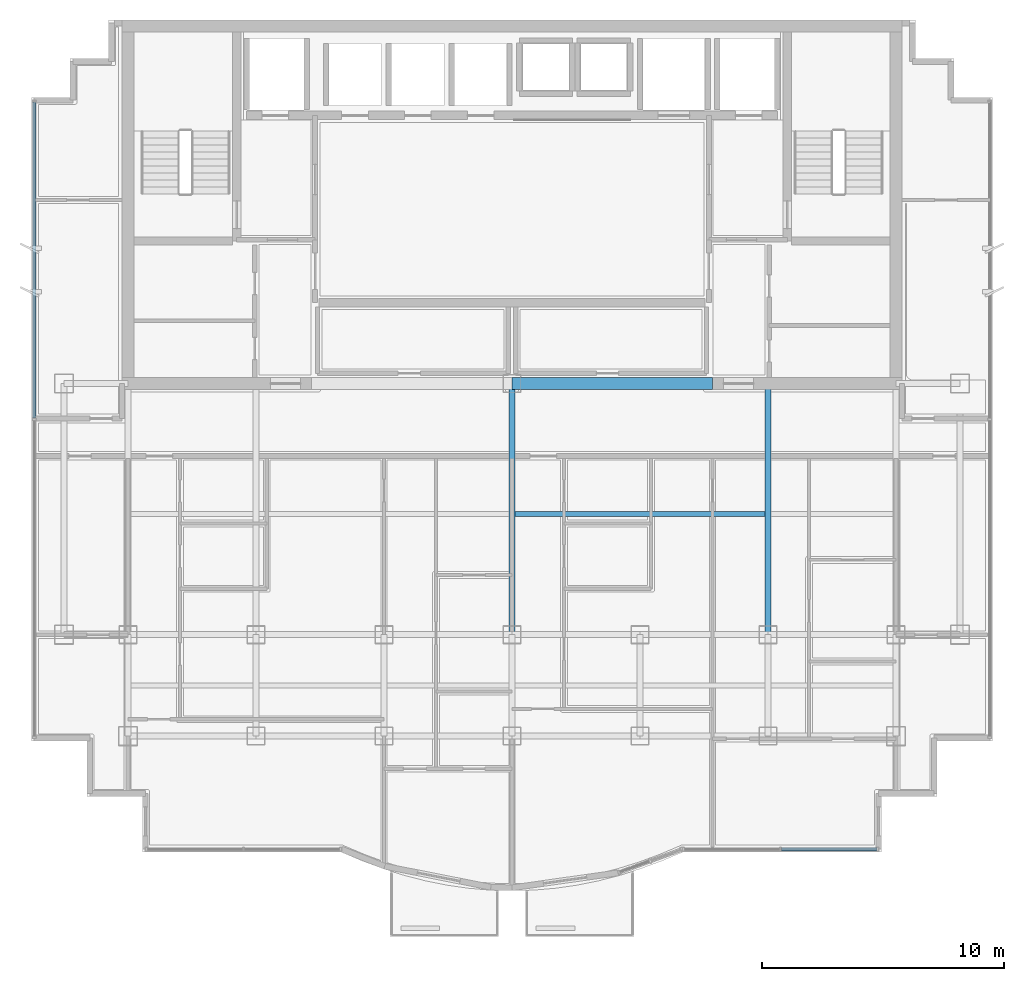
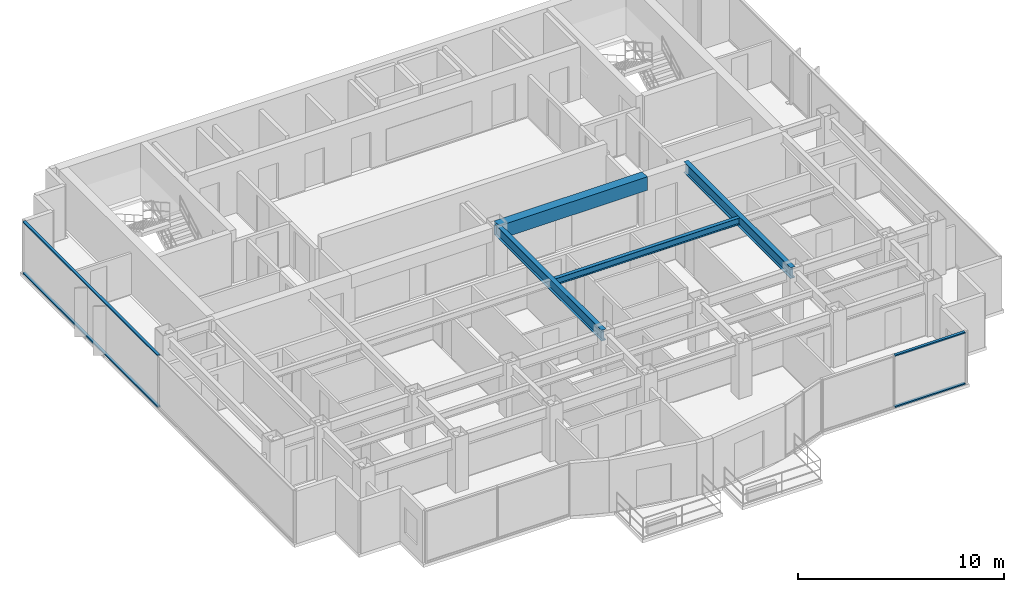
# One storey, part 3 of 12: 4 beams, 4 members, 2 elements without a shape of their own.
"""IFC4 building model written with IfcOpenShell, lengths in metres."""

from ifc_helpers import new_model, si_unit, direction, frame, origin, origin_2d, place, context, subcontext, project, spatial, rectangle, i_section, extrude, source, transform, mapped, material, layer, layer_set, material_profile, profile_set, type_object, element, aggregate, save


model = new_model("IFC4")

# Units and contexts
model_context = context("Model", 3, precision=1e-05, world=origin(), true_north=direction((0.0, 1.0)))
body_context = subcontext(model_context, "Body", "Model", "MODEL_VIEW")
ifc_project = project(units=[si_unit("LENGTHUNIT", "METRE"), si_unit("AREAUNIT", "SQUARE_METRE"), si_unit("VOLUMEUNIT", "CUBIC_METRE"), si_unit("PLANEANGLEUNIT", "RADIAN"), si_unit("MASSUNIT", "GRAM", prefix="KILO")], contexts=[model_context])

# Site, building, storey
site_placement = place(None, origin())
site = spatial("IfcSite", under=ifc_project, at=site_placement, CompositionType="ELEMENT")
building_placement = place(site_placement, origin())
building = spatial("IfcBuilding", under=site, at=building_placement, Name="Qianlan Lanfeng Residences", CompositionType="ELEMENT")
storey_placement = place(building_placement, frame((0.0, 0.0, 219.800048828125)))
storey = spatial("IfcBuildingStorey", under=building, at=storey_placement, Name="L60", CompositionType="ELEMENT", Elevation=219.800048828125)

# Beams
ifc_material_1 = material(Name="Steel SN490B", Category="steel")
ifc_material_profile_1 = material_profile(ifc_material_1, i_section(OverallWidth=0.25, OverallDepth=0.64990234375, WebThickness=0.012939453125, FlangeThickness=0.02197265625, at=origin_2d()), Name="H 650x250x13x22")
ifc_profile_set_1 = profile_set([ifc_material_profile_1], Name="Steel SN490B")
beam_type_1 = type_object("IfcBeamType", Name="G-650", PredefinedType="BEAM", material=ifc_profile_set_1)
for number, where, z_axis, x_axis, name in (
    (1, (26.5, 14.800048828125, 2.784912109375), (0.0, 1.0, 0.0), (-1.0, 0.0, 0.0), "Structural beam G-650"),
    (2, (37.10009765625, 14.800048828125, 2.784912109375), (0.0, 1.0, 0.0), (-1.0, 0.0, 0.0), "Structural beam G-650"),
):
    element("IfcBeam", number, at=place(storey_placement, frame(where, z_axis=z_axis, x_axis=x_axis)), inside=storey, type_object=beam_type_1, Name=name, PredefinedType="BEAM", context=body_context, shape_type="SweptSolid", body=[
        extrude(i_section(OverallWidth=0.25, OverallDepth=0.64990234375, WebThickness=0.012939453125, FlangeThickness=0.02197265625, at=origin_2d()), origin(), (0.0, 0.0, 1.0), 10.39990234375),
    ])
ifc_material_profile_2 = material_profile(ifc_material_1, i_section(OverallWidth=0.199951171875, OverallDepth=0.39990234375, WebThickness=0.008056640625, FlangeThickness=0.012939453125, at=origin_2d()), Name="H 400x200x8x13")
ifc_profile_set_2 = profile_set([ifc_material_profile_2], Name="Steel SN490B")
beam_type_2 = type_object("IfcBeamType", Name="J-400", PredefinedType="JOIST", material=ifc_profile_set_2)
beam_1_placement = place(storey_placement, frame((26.625, 19.800048828125, 2.909912109375), z_axis=(1.0, 0.0, 0.0), x_axis=(0.0, 1.0, 0.0)))
element("IfcBeam", 3, at=beam_1_placement, inside=storey, type_object=beam_type_2, Name="Structural beam J-400", PredefinedType="JOIST", context=body_context, shape_type="SweptSolid", body=[
    extrude(i_section(OverallWidth=0.199951171875, OverallDepth=0.39990234375, WebThickness=0.008056640625, FlangeThickness=0.012939453125, at=origin_2d()), origin(), (0.0, 0.0, 1.0), 10.35009765625),
])
ifc_material_2 = material(Name="Concrete C49", Category="concrete")
ifc_material_profile_3 = material_profile(ifc_material_2, rectangle(XDim=0.5, YDim=0.800048828125, at=origin_2d()), Name="RC 500x800")
ifc_profile_set_3 = profile_set([ifc_material_profile_3], Name="Concrete C49")
beam_type_3 = type_object("IfcBeamType", Name="LB-RC750", PredefinedType="BEAM", material=ifc_profile_set_3)
beam_2_placement = place(storey_placement, frame((26.5, 25.199951171875, 2.7099609375), z_axis=(1.0, 0.0, 0.0), x_axis=(0.0, 1.0, 0.0)))
element("IfcBeam", 4, at=beam_2_placement, inside=storey, type_object=beam_type_3, Name="L60 Core Coupling Beam E", PredefinedType="BEAM", context=body_context, shape_type="SweptSolid", body=[
    extrude(rectangle(XDim=0.5, YDim=0.800048828125, at=origin_2d()), origin(), (0.0, 0.0, 1.0), 8.300048828125),
])

# Curtain wall, members
ifc_material_3 = material(Name="Anodised Bronze Aluminium 6063-T6", Category="aluminium")
ifc_layer = layer(ifc_material_3, 0.219970703125)
ifc_layer_set = layer_set([ifc_layer], Name="Anodised Bronze Aluminium 6063-T6")
curtain_wall_type = type_object("IfcCurtainWallType", Name="CW-05", PredefinedType="NOTDEFINED", material=ifc_layer_set)
curtain_wall_1_placement = place(storey_placement, origin())
curtain_wall_1 = element("IfcCurtainWall", 5, at=curtain_wall_1_placement, inside=storey, type_object=curtain_wall_type, Name="L60 Unitised Curtain Wall CWR-L60-03 (CW-05)", PredefinedType="NOTDEFINED")
ifc_material_profile_4 = material_profile(ifc_material_3, rectangle(XDim=0.074951171875, YDim=0.14990234375, at=origin_2d()), Name="ALU TRANSOM 75x150")
ifc_profile_set_4 = profile_set([ifc_material_profile_4], Name="Anodised Bronze Aluminium 6063-T6")
member_type = type_object("IfcMemberType", Name="CWT-150", PredefinedType="USERDEFINED", material=ifc_profile_set_4)
shared_shape_1 = source(origin(), body_context, "Body", "SweptSolid", [
    extrude(rectangle(XDim=0.074951171875, YDim=0.14990234375, at=origin_2d()), origin(), (0.0, 0.0, 1.0), 3.949462890625),
])
member_1_placement = place(storey_placement, frame((37.655517578125, 5.919921875, 0.037353515625), z_axis=(1.0, 0.0, 0.0), x_axis=(0.0, 0.0, 1.0)))
member_1 = element("IfcMember", 6, at=member_1_placement, type_object=member_type, Name="CWR-L60-03 Transom 2-BOT", ObjectType="TRANSOM", PredefinedType="USERDEFINED", context=body_context, shape_type="MappedRepresentation", body=[
    mapped(shared_shape_1, transform((0.0, 0.0, 0.0), scale=1.0)),
])
member_2_placement = place(storey_placement, frame((37.655517578125, 5.919921875, 3.072509765625), z_axis=(1.0, 0.0, 0.0), x_axis=(0.0, 0.0, 1.0)))
member_2 = element("IfcMember", 7, at=member_2_placement, type_object=member_type, Name="CWR-L60-03 Transom 2-TOP", ObjectType="TRANSOM", PredefinedType="USERDEFINED", context=body_context, shape_type="MappedRepresentation", body=[
    mapped(shared_shape_1, transform((0.0, 0.0, 0.0), scale=1.0)),
])
aggregate(curtain_wall_1, [member_1, member_2])

curtain_wall_2_placement = place(storey_placement, origin())
curtain_wall_2 = element("IfcCurtainWall", 8, at=curtain_wall_2_placement, inside=storey, type_object=curtain_wall_type, Name="L60 Unitised Curtain Wall CWR-L60-05 (CW-05)", PredefinedType="NOTDEFINED")
shared_shape_2 = source(origin(), body_context, "Body", "SweptSolid", [
    extrude(rectangle(XDim=0.074951171875, YDim=0.14990234375, at=origin_2d()), origin(), (0.0, 0.0, 1.0), 13.092529296875),
])
member_3_placement = place(storey_placement, frame((6.719970703125, 36.85498046875, 0.037353515625), z_axis=(0.0, -1.0, 0.0), x_axis=(0.0, 0.0, 1.0)))
member_3 = element("IfcMember", 9, at=member_3_placement, type_object=member_type, Name="CWR-L60-05 Transom 1-BOT", ObjectType="TRANSOM", PredefinedType="USERDEFINED", context=body_context, shape_type="MappedRepresentation", body=[
    mapped(shared_shape_2, transform((0.0, 0.0, 0.0), scale=1.0)),
])
member_4_placement = place(storey_placement, frame((6.719970703125, 36.85498046875, 3.072509765625), z_axis=(0.0, -1.0, 0.0), x_axis=(0.0, 0.0, 1.0)))
member_4 = element("IfcMember", 10, at=member_4_placement, type_object=member_type, Name="CWR-L60-05 Transom 1-TOP", ObjectType="TRANSOM", PredefinedType="USERDEFINED", context=body_context, shape_type="MappedRepresentation", body=[
    mapped(shared_shape_2, transform((0.0, 0.0, 0.0), scale=1.0)),
])
aggregate(curtain_wall_2, [member_3, member_4])

save(model, "model.ifc")
